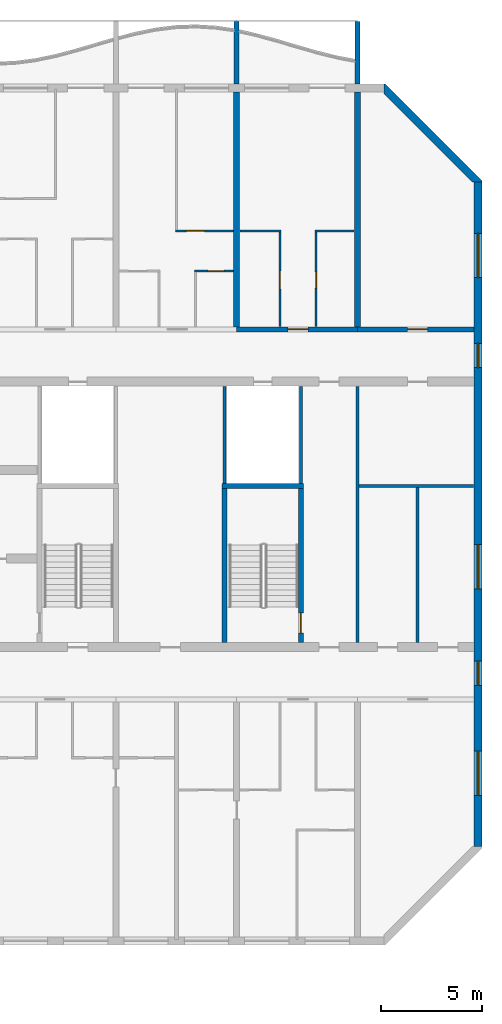
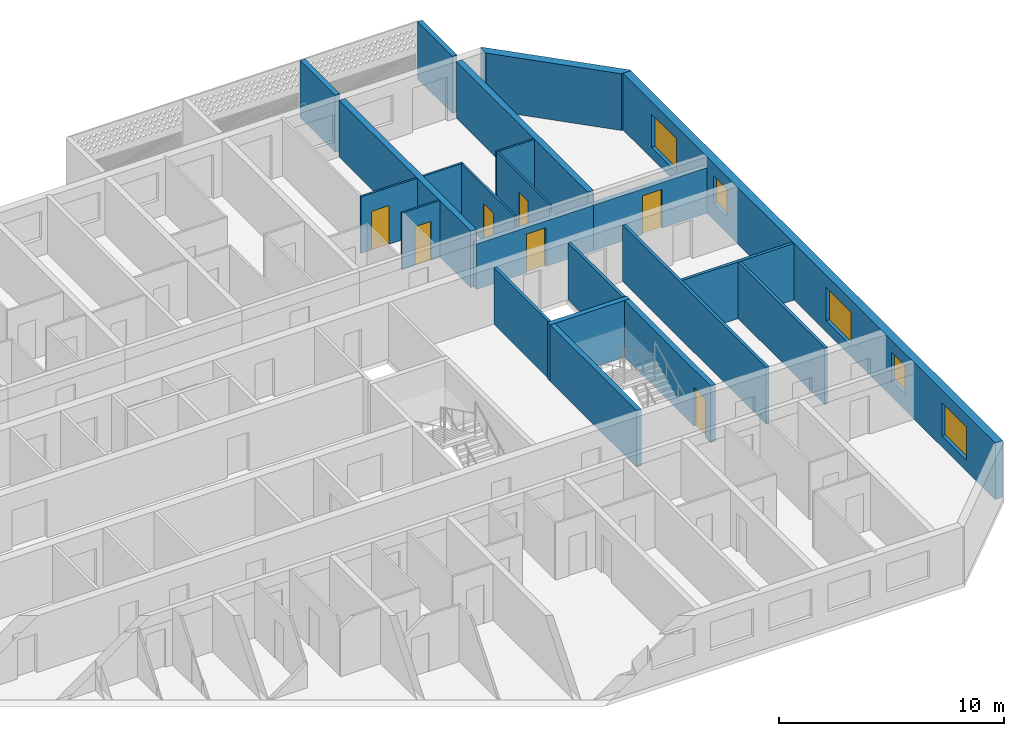
# One storey, part 12 of 31: 22 walls, 7 doors, 5 windows, 12 openings.
"""IFC4 building model written with IfcOpenShell, lengths in metres."""

from ifc_helpers import new_model, si_unit, direction, frame, frame_2d, origin, place, context, subcontext, project, spatial, polyline, rectangle, outline, extrude, source, transform, mapped, material, layer, layer_set, type_object, element, fill, save


model = new_model("IFC4")

# Units and contexts
model_context = context("Model", 3, precision=1e-05, world=origin(), true_north=direction((0.0, 1.0)))
body_context = subcontext(model_context, "Body", "Model", "MODEL_VIEW")
ifc_project = project(units=[si_unit("LENGTHUNIT", "METRE"), si_unit("AREAUNIT", "SQUARE_METRE"), si_unit("VOLUMEUNIT", "CUBIC_METRE"), si_unit("PLANEANGLEUNIT", "RADIAN"), si_unit("MASSUNIT", "GRAM", prefix="KILO")], contexts=[model_context])

# Site, building, storey
site_placement = place(None, origin())
site = spatial("IfcSite", under=ifc_project, at=site_placement, CompositionType="ELEMENT")
building_placement = place(site_placement, origin())
building = spatial("IfcBuilding", under=site, at=building_placement, Name="Poui Terraces", CompositionType="ELEMENT")
storey_placement = place(building_placement, frame((0.0, 0.0, 145.5)))
storey = spatial("IfcBuildingStorey", under=building, at=storey_placement, Name="L40", CompositionType="ELEMENT", Elevation=145.5)

# Wall
ifc_material_1 = material(Name="Fire-rated plasterboard wall")
ifc_layer_1 = layer(ifc_material_1, 0.14990234375)
ifc_layer_set_1 = layer_set([ifc_layer_1], Name="Fire-rated plasterboard wall")
wall_type_1 = type_object("IfcWallType", Name="CORRIDOR WALL 150", PredefinedType="PARTITIONING", material=ifc_layer_set_1)
wall_1_placement = place(storey_placement, frame((84.0, 14.8349609375, 0.0), z_axis=(0.0, 0.0, 1.0), x_axis=(0.0, 1.0, 0.0)))
element("IfcWall", 1, at=wall_1_placement, inside=storey, type_object=wall_type_1, Name="CORRIDOR WALL 150", PredefinedType="PARTITIONING", context=body_context, shape_type="SweptSolid", body=[
    extrude(rectangle(XDim=12.72998046875, YDim=0.14990234375, at=frame_2d((6.364990234375, 0.0))), origin(), (0.0, 0.0, 1.0), 3.070068359375),
])

# Wall, opening, door
ifc_material_2 = material(Name="Concrete 65 MPa", Category="concrete")
ifc_layer_2 = layer(ifc_material_2, 0.25)
ifc_layer_set_2 = layer_set([ifc_layer_2], Name="Concrete 65 MPa")
wall_type_2 = type_object("IfcWallType", Name="CORRIDOR WALL 250 65MPa", PredefinedType="SHEAR", material=ifc_layer_set_2)
wall_2_placement = place(storey_placement, frame((78.0, 30.39990234375, 0.0), z_axis=(0.0, 0.0, 1.0), x_axis=(1.0, 0.0, 0.0)))
wall_2 = element("IfcWall", 2, at=wall_2_placement, inside=storey, type_object=wall_type_2, Name="CORRIDOR WALL LINE E BAY 12", PredefinedType="SHEAR", context=body_context, shape_type="SweptSolid", body=[
    extrude(rectangle(XDim=6.0, YDim=0.25, at=frame_2d((3.0, 0.0))), origin(), (0.0, 0.0, 1.0), 2.469970703125),
])
opening_1_placement = place(wall_2_placement, frame((2.550048828125, 0.0, 0.0)))
opening_1 = element("IfcOpeningElement", 3, at=opening_1_placement, cuts=wall_2, Name="Opening FD30S", PredefinedType="OPENING", context=body_context, shape_type="SweptSolid", body=[
    extrude(rectangle(XDim=1.0, YDim=2.10009765625, at=frame_2d((0.5, 1.050048828125))), frame((0.0, 0.135009765625, 0.0), z_axis=(0.0, -1.0, 0.0), x_axis=(1.0, 0.0, 0.0)), (0.0, 0.0, 1.0), 0.27001953125),
])
ifc_material_3 = material(Name="Steel fire door", Category="steel")
door_type_1 = type_object("IfcDoorType", Name="FLAT ENTRANCE DOOR 1000 X 2100", OperationType="NOTDEFINED", PredefinedType="DOOR", material=ifc_material_3)
door_1_placement = place(opening_1_placement, origin())
door_1 = element("IfcDoor", 4, at=door_1_placement, inside=storey, type_object=door_type_1, Name="FLAT ENTRANCE DOOR 074", OperationType="SINGLE_SWING_RIGHT", OverallHeight=2.10009765625, OverallWidth=1.0, PredefinedType="DOOR", context=body_context, shape_type="SweptSolid", body=[
    extrude(rectangle(XDim=1.0, YDim=2.10009765625, at=frame_2d((0.5, 1.050048828125))), frame((0.0, 0.02490234375, 0.0), z_axis=(0.0, -1.0, 0.0), x_axis=(1.0, 0.0, 0.0)), (0.0, 0.0, 1.0), 0.050048828125),
])
fill(opening_1, door_1)

wall_3_placement = place(storey_placement, frame((84.0, 30.39990234375, 0.0), z_axis=(0.0, 0.0, 1.0), x_axis=(1.0, 0.0, 0.0)))
wall_3 = element("IfcWall", 5, at=wall_3_placement, inside=storey, type_object=wall_type_2, Name="CORRIDOR WALL LINE E BAY 13", PredefinedType="SHEAR", context=body_context, shape_type="SweptSolid", body=[
    extrude(rectangle(XDim=5.800048828125, YDim=0.25, at=frame_2d((2.89990234375, 0.0))), origin(), (0.0, 0.0, 1.0), 2.469970703125),
])
opening_2_placement = place(wall_3_placement, frame((2.5, 0.0, 0.0)))
opening_2 = element("IfcOpeningElement", 6, at=opening_2_placement, cuts=wall_3, Name="Opening D100", PredefinedType="OPENING", context=body_context, shape_type="SweptSolid", body=[
    extrude(rectangle(XDim=1.0, YDim=2.10009765625, at=frame_2d((0.5, 1.050048828125))), frame((0.0, 0.135009765625, 0.0), z_axis=(0.0, -1.0, 0.0), x_axis=(1.0, 0.0, 0.0)), (0.0, 0.0, 1.0), 0.27001953125),
])
ifc_material_4 = material(Name="Solid core timber door", Category="wood")
door_type_2 = type_object("IfcDoorType", Name="ACCESSIBLE INTERNAL DOOR 1000 X 2100", OperationType="NOTDEFINED", PredefinedType="DOOR", material=ifc_material_4)
door_2_placement = place(opening_2_placement, origin())
door_2 = element("IfcDoor", 7, at=door_2_placement, inside=storey, type_object=door_type_2, Name="ACCESSIBLE INTERNAL DOOR 076", OperationType="SINGLE_SWING_LEFT", OverallHeight=2.10009765625, OverallWidth=1.0, PredefinedType="DOOR", context=body_context, shape_type="SweptSolid", body=[
    extrude(rectangle(XDim=1.0, YDim=2.10009765625, at=frame_2d((0.5, 1.050048828125))), frame((0.0, 0.02490234375, 0.0), z_axis=(0.0, -1.0, 0.0), x_axis=(1.0, 0.0, 0.0)), (0.0, 0.0, 1.0), 0.050048828125),
])
fill(opening_2, door_2)

# Walls
ifc_layer_3 = layer(ifc_material_2, 0.300048828125)
ifc_layer_set_3 = layer_set([ifc_layer_3], Name="Concrete 65 MPa")
wall_type_3 = type_object("IfcWallType", Name="CROSS WALL 300 65MPa", PredefinedType="SHEAR", material=ifc_layer_set_3)
for number, where, z_axis, x_axis, name in (
    (8, (78.0, 30.52490234375, 0.0), (0.0, 0.0, 1.0), (0.0, 1.0, 0.0), "CROSS WALL LINE 14 NORTH"),
    (9, (84.0, 30.52490234375, 0.0), (0.0, 0.0, 1.0), (0.0, 1.0, 0.0), "CROSS WALL LINE 15 NORTH"),
):
    element("IfcWall", number, at=place(storey_placement, frame(where, z_axis=z_axis, x_axis=x_axis)), inside=storey, type_object=wall_type_3, Name=name, PredefinedType="SHEAR", context=body_context, shape_type="SweptSolid", body=[
        extrude(rectangle(XDim=11.675048828125, YDim=0.300048828125, at=frame_2d((5.83740234375, 0.0))), origin(), (0.0, 0.0, 1.0), 3.070068359375),
    ])

# Wall, openings, windows
ifc_layer_4 = layer(ifc_material_2, 0.39990234375)
ifc_layer_set_4 = layer_set([ifc_layer_4], Name="Concrete 65 MPa")
wall_type_4 = type_object("IfcWallType", Name="END WALL 400 65MPa", PredefinedType="SHEAR", material=ifc_layer_set_4)
wall_4_placement = place(storey_placement, frame((90.0, 4.682861328125, 0.0), z_axis=(0.0, 0.0, 1.0), x_axis=(0.0, 1.0, 0.0)))
wall_4 = element("IfcWall", 10, at=wall_4_placement, inside=storey, type_object=wall_type_4, Name="END WALL EAST", PredefinedType="SHEAR", context=body_context, shape_type="SweptSolid", body=[
    extrude(rectangle(XDim=33.034423828125, YDim=0.39990234375, at=frame_2d((16.51708984375, 0.0))), origin(), (0.0, 0.0, 1.0), 3.070068359375),
])
opening_3_placement = place(wall_4_placement, frame((23.817138671875, 0.0, 0.89990234375)))
opening_3 = element("IfcOpeningElement", 11, at=opening_3_placement, cuts=wall_4, Name="Opening W2", PredefinedType="OPENING", context=body_context, shape_type="SweptSolid", body=[
    extrude(rectangle(XDim=1.199951171875, YDim=1.5, at=frame_2d((0.60009765625, 0.75))), frame((0.0, 0.2099609375, 0.0), z_axis=(0.0, -1.0, 0.0), x_axis=(1.0, 0.0, 0.0)), (0.0, 0.0, 1.0), 0.419921875),
])
opening_4_placement = place(wall_4_placement, frame((8.01708984375, 0.0, 0.89990234375)))
opening_4 = element("IfcOpeningElement", 12, at=opening_4_placement, cuts=wall_4, Name="Opening W2", PredefinedType="OPENING", context=body_context, shape_type="SweptSolid", body=[
    extrude(rectangle(XDim=1.199951171875, YDim=1.5, at=frame_2d((0.60009765625, 0.75))), frame((0.0, 0.2099609375, 0.0), z_axis=(0.0, -1.0, 0.0), x_axis=(1.0, 0.0, 0.0)), (0.0, 0.0, 1.0), 0.419921875),
])
opening_5_placement = place(wall_4_placement, frame((28.29345703125, 0.0, 0.60009765625)))
opening_5 = element("IfcOpeningElement", 13, at=opening_5_placement, cuts=wall_4, Name="Opening W3", PredefinedType="OPENING", context=body_context, shape_type="SweptSolid", body=[
    extrude(rectangle(XDim=2.199951171875, YDim=1.800048828125, at=frame_2d((1.10009765625, 0.89990234375))), frame((0.0, 0.2099609375, 0.0), z_axis=(0.0, -1.0, 0.0), x_axis=(1.0, 0.0, 0.0)), (0.0, 0.0, 1.0), 0.419921875),
])
opening_6_placement = place(wall_4_placement, frame((2.541015625, 0.0, 0.60009765625)))
opening_6 = element("IfcOpeningElement", 14, at=opening_6_placement, cuts=wall_4, Name="Opening W3", PredefinedType="OPENING", context=body_context, shape_type="SweptSolid", body=[
    extrude(rectangle(XDim=2.199951171875, YDim=1.800048828125, at=frame_2d((1.10009765625, 0.89990234375))), frame((0.0, 0.2099609375, 0.0), z_axis=(0.0, -1.0, 0.0), x_axis=(1.0, 0.0, 0.0)), (0.0, 0.0, 1.0), 0.419921875),
])
opening_7_placement = place(wall_4_placement, frame((12.817138671875, 0.0, 0.60009765625)))
opening_7 = element("IfcOpeningElement", 15, at=opening_7_placement, cuts=wall_4, Name="Opening W3", PredefinedType="OPENING", context=body_context, shape_type="SweptSolid", body=[
    extrude(rectangle(XDim=2.199951171875, YDim=1.800048828125, at=frame_2d((1.10009765625, 0.89990234375))), frame((0.0, 0.2099609375, 0.0), z_axis=(0.0, -1.0, 0.0), x_axis=(1.0, 0.0, 0.0)), (0.0, 0.0, 1.0), 0.419921875),
])
ifc_material_5 = material(Name="Clear glass in aluminium frame", Category="aluminium")
window_type_1 = type_object("IfcWindowType", Name="WINDOW 1200X1500", PartitioningType="SINGLE_PANEL", PredefinedType="WINDOW", material=ifc_material_5)
window_1_placement = place(opening_3_placement, origin())
window_1 = element("IfcWindow", 16, at=window_1_placement, inside=storey, type_object=window_type_1, Name="W2 WINDOW", OverallHeight=1.5, OverallWidth=1.199951171875, PartitioningType="SINGLE_PANEL", PredefinedType="WINDOW", context=body_context, shape_type="SweptSolid", body=[
    extrude(rectangle(XDim=1.199951171875, YDim=1.5, at=frame_2d((0.60009765625, 0.75))), frame((0.0, 0.030029296875, 0.0), z_axis=(0.0, -1.0, 0.0), x_axis=(1.0, 0.0, 0.0)), (0.0, 0.0, 1.0), 0.06005859375),
])
fill(opening_3, window_1)
window_2_placement = place(opening_4_placement, origin())
window_2 = element("IfcWindow", 17, at=window_2_placement, inside=storey, type_object=window_type_1, Name="W2 WINDOW", OverallHeight=1.5, OverallWidth=1.199951171875, PartitioningType="SINGLE_PANEL", PredefinedType="WINDOW", context=body_context, shape_type="SweptSolid", body=[
    extrude(rectangle(XDim=1.199951171875, YDim=1.5, at=frame_2d((0.60009765625, 0.75))), frame((0.0, 0.030029296875, 0.0), z_axis=(0.0, -1.0, 0.0), x_axis=(1.0, 0.0, 0.0)), (0.0, 0.0, 1.0), 0.06005859375),
])
fill(opening_4, window_2)
window_type_2 = type_object("IfcWindowType", Name="WINDOW 2200X1800", PartitioningType="DOUBLE_PANEL_HORIZONTAL", PredefinedType="WINDOW", material=ifc_material_5)
window_3_placement = place(opening_5_placement, origin())
window_3 = element("IfcWindow", 18, at=window_3_placement, inside=storey, type_object=window_type_2, Name="W3 WINDOW", OverallHeight=1.800048828125, OverallWidth=2.199951171875, PartitioningType="DOUBLE_PANEL_HORIZONTAL", PredefinedType="WINDOW", context=body_context, shape_type="SweptSolid", body=[
    extrude(rectangle(XDim=2.199951171875, YDim=1.800048828125, at=frame_2d((1.10009765625, 0.89990234375))), frame((0.0, 0.030029296875, 0.0), z_axis=(0.0, -1.0, 0.0), x_axis=(1.0, 0.0, 0.0)), (0.0, 0.0, 1.0), 0.06005859375),
])
fill(opening_5, window_3)
window_4_placement = place(opening_6_placement, origin())
window_4 = element("IfcWindow", 19, at=window_4_placement, inside=storey, type_object=window_type_2, Name="W3 WINDOW", OverallHeight=1.800048828125, OverallWidth=2.199951171875, PartitioningType="DOUBLE_PANEL_HORIZONTAL", PredefinedType="WINDOW", context=body_context, shape_type="SweptSolid", body=[
    extrude(rectangle(XDim=2.199951171875, YDim=1.800048828125, at=frame_2d((1.10009765625, 0.89990234375))), frame((0.0, 0.030029296875, 0.0), z_axis=(0.0, -1.0, 0.0), x_axis=(1.0, 0.0, 0.0)), (0.0, 0.0, 1.0), 0.06005859375),
])
fill(opening_6, window_4)
window_5_placement = place(opening_7_placement, origin())
window_5 = element("IfcWindow", 20, at=window_5_placement, inside=storey, type_object=window_type_2, Name="W3 WINDOW", OverallHeight=1.800048828125, OverallWidth=2.199951171875, PartitioningType="DOUBLE_PANEL_HORIZONTAL", PredefinedType="WINDOW", context=body_context, shape_type="SweptSolid", body=[
    extrude(rectangle(XDim=2.199951171875, YDim=1.800048828125, at=frame_2d((1.10009765625, 0.89990234375))), frame((0.0, 0.030029296875, 0.0), z_axis=(0.0, -1.0, 0.0), x_axis=(1.0, 0.0, 0.0)), (0.0, 0.0, 1.0), 0.06005859375),
])
fill(opening_7, window_5)

# Wall, opening, door
ifc_material_6 = material(Name="Plasterboard partition")
ifc_layer_5 = layer(ifc_material_6, 0.10009765625)
ifc_layer_set_5 = layer_set([ifc_layer_5], Name="Plasterboard partition")
wall_type_5 = type_object("IfcWallType", Name="FLAT PARTITION 100", PredefinedType="PARTITIONING", material=ifc_layer_set_5)
wall_5_placement = place(storey_placement, frame((75.89990234375, 33.300048828125, 0.0), z_axis=(0.0, 0.0, 1.0), x_axis=(1.0, 0.0, 0.0)))
wall_5 = element("IfcWall", 21, at=wall_5_placement, inside=storey, type_object=wall_type_5, Name="FLAT PARTITION 100", PredefinedType="PARTITIONING", context=body_context, shape_type="SweptSolid", body=[
    extrude(rectangle(XDim=1.940185546875, YDim=0.10009765625, at=frame_2d((0.97021484375, 0.0))), origin(), (0.0, 0.0, 1.0), 3.070068359375),
])
opening_8_placement = place(wall_5_placement, frame((0.675048828125, 0.0, 0.0)))
opening_8 = element("IfcOpeningElement", 22, at=opening_8_placement, cuts=wall_5, Name="Opening D80", PredefinedType="OPENING", context=body_context, shape_type="SweptSolid", body=[
    extrude(rectangle(XDim=0.800048828125, YDim=2.10009765625, at=frame_2d((0.39990234375, 1.050048828125))), frame((0.0, 0.06005859375, 0.0), z_axis=(0.0, -1.0, 0.0), x_axis=(1.0, 0.0, 0.0)), (0.0, 0.0, 1.0), 0.1201171875),
])
door_type_3 = type_object("IfcDoorType", Name="BATHROOM, LAUNDRY AND STORE DOOR 800 X 2100", OperationType="NOTDEFINED", PredefinedType="DOOR", material=ifc_material_4)
door_3_placement = place(opening_8_placement, frame((0.800048828125, 0.0, 0.0), z_axis=(0.0, 0.0, 1.0), x_axis=(-1.0, 0.0, 0.0)))
door_3 = element("IfcDoor", 23, at=door_3_placement, inside=storey, type_object=door_type_3, Name="BATHROOM, LAUNDRY AND STORE DOOR 072", OperationType="SINGLE_SWING_RIGHT", OverallHeight=2.10009765625, OverallWidth=0.800048828125, PredefinedType="DOOR", context=body_context, shape_type="SweptSolid", body=[
    extrude(rectangle(XDim=0.800048828125, YDim=2.10009765625, at=frame_2d((0.39990234375, 1.050048828125))), frame((0.0, 0.02490234375, 0.0), z_axis=(0.0, -1.0, 0.0), x_axis=(1.0, 0.0, 0.0)), (0.0, 0.0, 1.0), 0.050048828125),
])
fill(opening_8, door_3)

wall_6_placement = place(storey_placement, frame((74.949951171875, 35.300048828125, 0.0), z_axis=(0.0, 0.0, 1.0), x_axis=(1.0, 0.0, 0.0)))
wall_6 = element("IfcWall", 24, at=wall_6_placement, inside=storey, type_object=wall_type_5, Name="FLAT PARTITION 100", PredefinedType="PARTITIONING", context=body_context, shape_type="SweptSolid", body=[
    extrude(rectangle(XDim=2.89013671875, YDim=0.10009765625, at=frame_2d((1.445068359375, 0.0))), origin(), (0.0, 0.0, 1.0), 3.070068359375),
])
opening_9_placement = place(wall_6_placement, frame((0.550048828125, 0.0, 0.0)))
opening_9 = element("IfcOpeningElement", 25, at=opening_9_placement, cuts=wall_6, Name="Opening D90", PredefinedType="OPENING", context=body_context, shape_type="SweptSolid", body=[
    extrude(rectangle(XDim=0.89990234375, YDim=2.10009765625, at=frame_2d((0.449951171875, 1.050048828125))), frame((0.0, 0.06005859375, 0.0), z_axis=(0.0, -1.0, 0.0), x_axis=(1.0, 0.0, 0.0)), (0.0, 0.0, 1.0), 0.1201171875),
])
door_type_4 = type_object("IfcDoorType", Name="INTERNAL DOOR 900 X 2100", OperationType="NOTDEFINED", PredefinedType="DOOR", material=ifc_material_4)
door_4_placement = place(opening_9_placement, frame((0.89990234375, 0.0, 0.0), z_axis=(0.0, 0.0, 1.0), x_axis=(-1.0, 0.0, 0.0)))
door_4 = element("IfcDoor", 26, at=door_4_placement, inside=storey, type_object=door_type_4, Name="INTERNAL DOOR 071", OperationType="SINGLE_SWING_LEFT", OverallHeight=2.10009765625, OverallWidth=0.89990234375, PredefinedType="DOOR", context=body_context, shape_type="SweptSolid", body=[
    extrude(rectangle(XDim=0.89990234375, YDim=2.10009765625, at=frame_2d((0.449951171875, 1.050048828125))), frame((0.0, 0.02490234375, 0.0), z_axis=(0.0, -1.0, 0.0), x_axis=(1.0, 0.0, 0.0)), (0.0, 0.0, 1.0), 0.050048828125),
])
fill(opening_9, door_4)

# Walls
wall_7_placement = place(storey_placement, frame((78.159912109375, 35.300048828125, 0.0), z_axis=(0.0, 0.0, 1.0), x_axis=(1.0, 0.0, 0.0)))
element("IfcWall", 27, at=wall_7_placement, inside=storey, type_object=wall_type_5, Name="FLAT PARTITION 100", PredefinedType="PARTITIONING", context=body_context, shape_type="SweptSolid", body=[
    extrude(rectangle(XDim=2.0400390625, YDim=0.10009765625, at=frame_2d((1.02001953125, 0.0))), origin(), (0.0, 0.0, 1.0), 3.070068359375),
])
wall_8_placement = place(storey_placement, frame((81.89990234375, 35.300048828125, 0.0), z_axis=(0.0, 0.0, 1.0), x_axis=(1.0, 0.0, 0.0)))
element("IfcWall", 28, at=wall_8_placement, inside=storey, type_object=wall_type_5, Name="FLAT PARTITION 100", PredefinedType="PARTITIONING", context=body_context, shape_type="SweptSolid", body=[
    extrude(rectangle(XDim=1.940185546875, YDim=0.10009765625, at=frame_2d((0.97021484375, 0.0))), origin(), (0.0, 0.0, 1.0), 3.070068359375),
])

# Wall, opening, door
wall_9_placement = place(storey_placement, frame((80.14990234375, 30.534912109375, 0.0), z_axis=(0.0, 0.0, 1.0), x_axis=(0.0, 1.0, 0.0)))
wall_9 = element("IfcWall", 29, at=wall_9_placement, inside=storey, type_object=wall_type_5, Name="FLAT PARTITION 100", PredefinedType="PARTITIONING", context=body_context, shape_type="SweptSolid", body=[
    extrude(rectangle(XDim=4.715087890625, YDim=0.10009765625, at=frame_2d((2.357421875, 0.0))), origin(), (0.0, 0.0, 1.0), 3.070068359375),
])
opening_10_placement = place(wall_9_placement, frame((1.864990234375, 0.0, 0.0)))
opening_10 = element("IfcOpeningElement", 30, at=opening_10_placement, cuts=wall_9, Name="Opening D90", PredefinedType="OPENING", context=body_context, shape_type="SweptSolid", body=[
    extrude(rectangle(XDim=0.89990234375, YDim=2.10009765625, at=frame_2d((0.449951171875, 1.050048828125))), frame((0.0, 0.06005859375, 0.0), z_axis=(0.0, -1.0, 0.0), x_axis=(1.0, 0.0, 0.0)), (0.0, 0.0, 1.0), 0.1201171875),
])
door_5_placement = place(opening_10_placement, origin())
door_5 = element("IfcDoor", 31, at=door_5_placement, inside=storey, type_object=door_type_4, Name="INTERNAL DOOR 073", OperationType="SINGLE_SWING_RIGHT", OverallHeight=2.10009765625, OverallWidth=0.89990234375, PredefinedType="DOOR", context=body_context, shape_type="SweptSolid", body=[
    extrude(rectangle(XDim=0.89990234375, YDim=2.10009765625, at=frame_2d((0.449951171875, 1.050048828125))), frame((0.0, 0.02490234375, 0.0), z_axis=(0.0, -1.0, 0.0), x_axis=(1.0, 0.0, 0.0)), (0.0, 0.0, 1.0), 0.050048828125),
])
fill(opening_10, door_5)

wall_10_placement = place(storey_placement, frame((81.949951171875, 30.534912109375, 0.0), z_axis=(0.0, 0.0, 1.0), x_axis=(0.0, 1.0, 0.0)))
wall_10 = element("IfcWall", 32, at=wall_10_placement, inside=storey, type_object=wall_type_5, Name="FLAT PARTITION 100", PredefinedType="PARTITIONING", context=body_context, shape_type="SweptSolid", body=[
    extrude(rectangle(XDim=4.715087890625, YDim=0.10009765625, at=frame_2d((2.357421875, 0.0))), origin(), (0.0, 0.0, 1.0), 3.070068359375),
])
opening_11_placement = place(wall_10_placement, frame((1.9150390625, 0.0, 0.0)))
opening_11 = element("IfcOpeningElement", 33, at=opening_11_placement, cuts=wall_10, Name="Opening D80", PredefinedType="OPENING", context=body_context, shape_type="SweptSolid", body=[
    extrude(rectangle(XDim=0.800048828125, YDim=2.10009765625, at=frame_2d((0.39990234375, 1.050048828125))), frame((0.0, 0.06005859375, 0.0), z_axis=(0.0, -1.0, 0.0), x_axis=(1.0, 0.0, 0.0)), (0.0, 0.0, 1.0), 0.1201171875),
])
door_6_placement = place(opening_11_placement, frame((0.800048828125, 0.0, 0.0), z_axis=(0.0, 0.0, 1.0), x_axis=(-1.0, 0.0, 0.0)))
door_6 = element("IfcDoor", 34, at=door_6_placement, inside=storey, type_object=door_type_3, Name="BATHROOM, LAUNDRY AND STORE DOOR 075", OperationType="SINGLE_SWING_RIGHT", OverallHeight=2.10009765625, OverallWidth=0.800048828125, PredefinedType="DOOR", context=body_context, shape_type="SweptSolid", body=[
    extrude(rectangle(XDim=0.800048828125, YDim=2.10009765625, at=frame_2d((0.39990234375, 1.050048828125))), frame((0.0, 0.02490234375, 0.0), z_axis=(0.0, -1.0, 0.0), x_axis=(1.0, 0.0, 0.0)), (0.0, 0.0, 1.0), 0.050048828125),
])
fill(opening_11, door_6)

# Walls
ifc_layer_6 = layer(ifc_material_6, 0.14990234375)
ifc_layer_set_6 = layer_set([ifc_layer_6], Name="Plasterboard partition")
wall_type_6 = type_object("IfcWallType", Name="PARTITION WALL 150", PredefinedType="PARTITIONING", material=ifc_layer_set_6)
wall_11_placement = place(storey_placement, frame((84.074951171875, 22.60009765625, 0.0), z_axis=(0.0, 0.0, 1.0), x_axis=(1.0, 0.0, 0.0)))
element("IfcWall", 35, at=wall_11_placement, inside=storey, type_object=wall_type_6, Name="PARTITION WALL 150", PredefinedType="PARTITIONING", context=body_context, shape_type="SweptSolid", body=[
    extrude(rectangle(XDim=5.715087890625, YDim=0.14990234375, at=frame_2d((2.857421875, 0.0))), origin(), (0.0, 0.0, 1.0), 3.070068359375),
])
wall_12_placement = place(storey_placement, frame((87.0, 14.8349609375, 0.0), z_axis=(0.0, 0.0, 1.0), x_axis=(0.0, 1.0, 0.0)))
element("IfcWall", 36, at=wall_12_placement, inside=storey, type_object=wall_type_6, Name="PARTITION WALL 150", PredefinedType="PARTITIONING", context=body_context, shape_type="SweptSolid", body=[
    extrude(rectangle(XDim=7.68994140625, YDim=0.14990234375, at=frame_2d((3.844970703125, 0.0))), origin(), (0.0, 0.0, 1.0), 3.070068359375),
])
ifc_material_7 = material(Name="Fire-rated plasterboard riser wall")
ifc_layer_7 = layer(ifc_material_7, 0.14990234375)
ifc_layer_set_7 = layer_set([ifc_layer_7], Name="Fire-rated plasterboard riser wall")
wall_type_7 = type_object("IfcWallType", Name="RISER WALL 150", PredefinedType="PARTITIONING", material=ifc_layer_set_7)
for number, where, z_axis, x_axis, name in (
    (37, (77.39990234375, 22.735107421875, 0.0), (0.0, 0.0, 1.0), (0.0, 1.0, 0.0), "RISER WALL 150"),
    (38, (81.199951171875, 22.735107421875, 0.0), (0.0, 0.0, 1.0), (0.0, 1.0, 0.0), "RISER WALL 150"),
):
    element("IfcWall", number, at=place(storey_placement, frame(where, z_axis=z_axis, x_axis=x_axis)), inside=storey, type_object=wall_type_7, Name=name, PredefinedType="PARTITIONING", context=body_context, shape_type="SweptSolid", body=[
        extrude(rectangle(XDim=4.829833984375, YDim=0.14990234375, at=frame_2d((2.4150390625, 0.0))), origin(), (0.0, 0.0, 1.0), 3.070068359375),
    ])
ifc_layer_8 = layer(ifc_material_2, 0.25)
ifc_layer_set_8 = layer_set([ifc_layer_8], Name="Concrete 65 MPa")
wall_type_8 = type_object("IfcWallType", Name="STAIR CORE WALL 250 65 MPA", PredefinedType="SOLIDWALL", material=ifc_layer_set_8)
wall_13_placement = place(storey_placement, frame((77.39990234375, 14.824951171875, 0.0), z_axis=(0.0, 0.0, 1.0), x_axis=(0.0, 1.0, 0.0)))
element("IfcWall", 39, at=wall_13_placement, inside=storey, type_object=wall_type_8, Name="STAIR CORE WALL", PredefinedType="SOLIDWALL", context=body_context, shape_type="SweptSolid", body=[
    extrude(rectangle(XDim=7.650146484375, YDim=0.25, at=frame_2d((3.8251953125, 0.0))), origin(), (0.0, 0.0, 1.0), 3.070068359375),
])

# Wall, opening, door
wall_14_placement = place(storey_placement, frame((81.199951171875, 14.824951171875, 0.0), z_axis=(0.0, 0.0, 1.0), x_axis=(0.0, 1.0, 0.0)))
wall_14 = element("IfcWall", 40, at=wall_14_placement, inside=storey, type_object=wall_type_8, Name="STAIR CORE WALL", PredefinedType="SOLIDWALL", context=body_context, shape_type="SweptSolid", body=[
    extrude(rectangle(XDim=7.650146484375, YDim=0.25, at=frame_2d((3.8251953125, 0.0))), origin(), (0.0, 0.0, 1.0), 3.070068359375),
])
opening_12_placement = place(wall_14_placement, frame((0.47509765625, 0.0, 0.0)))
opening_12 = element("IfcOpeningElement", 41, at=opening_12_placement, cuts=wall_14, Name="Opening FD60S", PredefinedType="OPENING", context=body_context, shape_type="SweptSolid", body=[
    extrude(rectangle(XDim=1.0, YDim=2.10009765625, at=frame_2d((0.5, 1.050048828125))), frame((0.0, 0.135009765625, 0.0), z_axis=(0.0, -1.0, 0.0), x_axis=(1.0, 0.0, 0.0)), (0.0, 0.0, 1.0), 0.27001953125),
])
door_type_5 = type_object("IfcDoorType", Name="STAIR DOOR 1000 X 2100", OperationType="NOTDEFINED", PredefinedType="DOOR", material=ifc_material_3)
door_7_placement = place(opening_12_placement, origin())
door_7 = element("IfcDoor", 42, at=door_7_placement, inside=storey, type_object=door_type_5, Name="STAIR DOOR 135", OperationType="SINGLE_SWING_LEFT", OverallHeight=2.10009765625, OverallWidth=1.0, PredefinedType="DOOR", context=body_context, shape_type="SweptSolid", body=[
    extrude(rectangle(XDim=1.0, YDim=2.10009765625, at=frame_2d((0.5, 1.050048828125))), frame((0.0, 0.02490234375, 0.0), z_axis=(0.0, -1.0, 0.0), x_axis=(1.0, 0.0, 0.0)), (0.0, 0.0, 1.0), 0.050048828125),
])
fill(opening_12, door_7)

# Walls
wall_15_placement = place(storey_placement, frame((77.27490234375, 22.60009765625, 0.0), z_axis=(0.0, 0.0, 1.0), x_axis=(1.0, 0.0, 0.0)))
element("IfcWall", 43, at=wall_15_placement, inside=storey, type_object=wall_type_8, Name="STAIR CORE WALL", PredefinedType="SOLIDWALL", context=body_context, shape_type="SweptSolid", body=[
    extrude(rectangle(XDim=4.050048828125, YDim=0.25, at=frame_2d((2.02490234375, 0.0))), origin(), (0.0, 0.0, 1.0), 3.070068359375),
])
ifc_material_8 = material(Name="Precast concrete 40 MPa", Category="concrete")
ifc_layer_9 = layer(ifc_material_8, 0.39990234375)
ifc_layer_set_9 = layer_set([ifc_layer_9], Name="Precast concrete 40 MPa")
wall_type_9 = type_object("IfcWallType", Name="TERRACOTTA CLAD CHAMFER WALL 400", PredefinedType="STANDARD", material=ifc_layer_set_9)
wall_16_placement = place(storey_placement, origin())
element("IfcWall", 44, at=wall_16_placement, inside=storey, type_object=wall_type_9, Name="CHAMFER WALL CH03", PredefinedType="STANDARD", context=body_context, shape_type="SweptSolid", body=[
    extrude(outline(polyline([(90.199951171875, 37.71728515625), (90.199951171875, 37.800048828125), (85.39990234375, 42.60009765625), (85.317138671875, 42.60009765625), (85.317138671875, 42.1171875), (89.71728515625, 37.71728515625), (90.199951171875, 37.71728515625)])), origin(), (0.0, 0.0, 1.0), 3.070068359375),
])
ifc_layer_10 = layer(ifc_material_8, 0.25)
ifc_layer_set_10 = layer_set([ifc_layer_10], Name="Precast concrete 40 MPa")
wall_type_10 = type_object("IfcWallType", Name="BALCONY FIN 250", PredefinedType="STANDARD", material=ifc_layer_set_10)
shared_shape = source(origin(), body_context, "Body", "SweptSolid", [
    extrude(outline(polyline([(0.0, 0.0), (0.25, 0.0), (0.25, 3.099853515625), (0.0, 3.099853515625), (0.0, 0.0)])), origin(), (0.0, 0.0, 1.0), 3.10009765625),
])
for number, where, name in (
    (45, (77.875, 42.60009765625, 0.0), "BALCONY FIN"),
    (46, (83.875, 42.60009765625, 0.0), "BALCONY FIN"),
):
    element("IfcWall", number, at=place(storey_placement, frame(where)), inside=storey, type_object=wall_type_10, Name=name, PredefinedType="STANDARD", context=body_context, shape_type="MappedRepresentation", body=[
        mapped(shared_shape, transform((0.0, 0.0, 0.0))),
    ])

save(model, "model.ifc")
